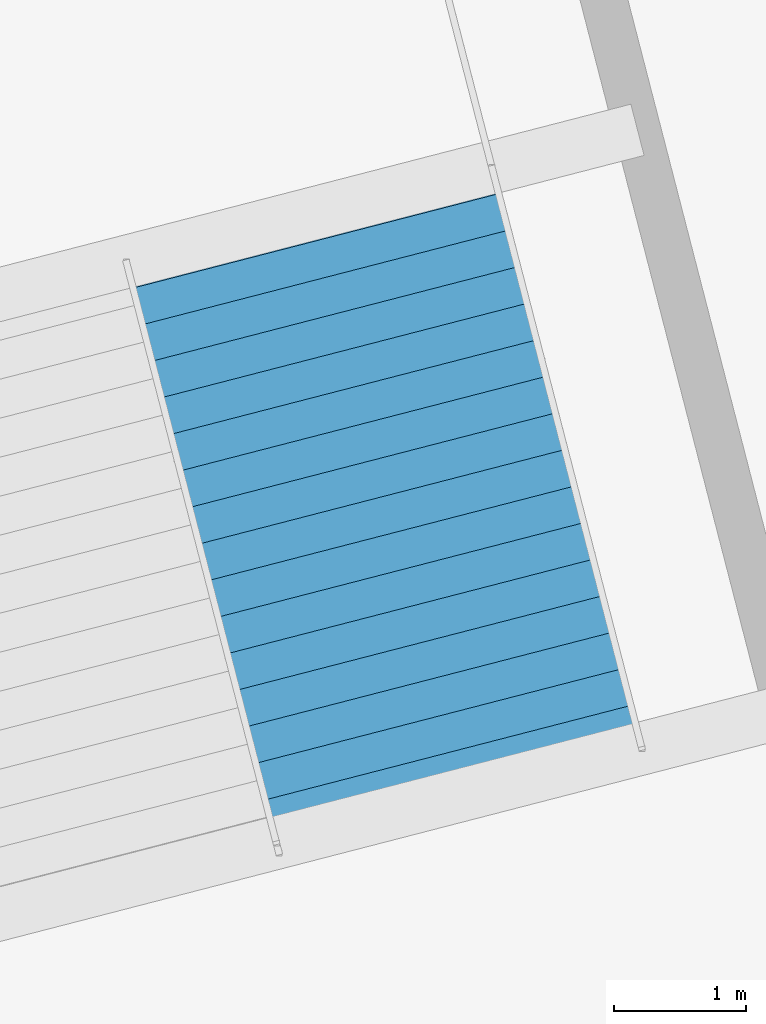
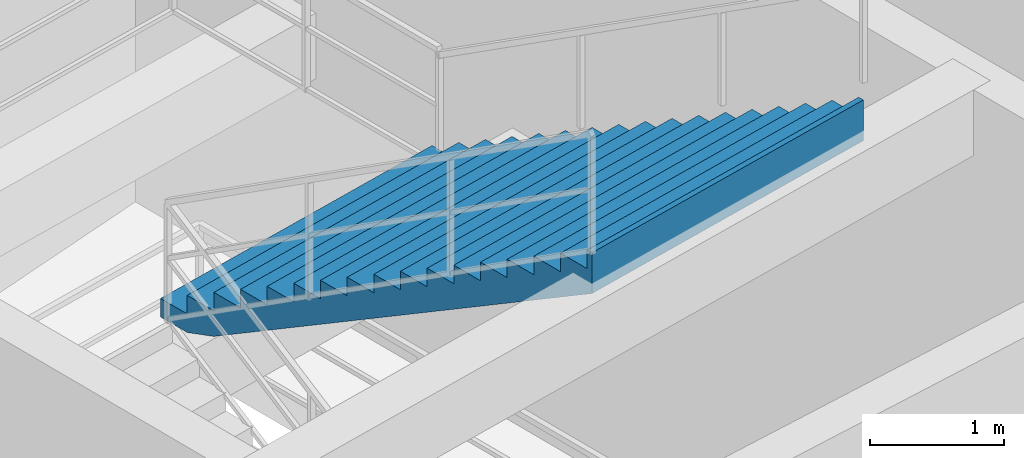
# One storey, part 32 of 48: 1 stair flight, 1 element without a shape of its own.
"""IFC4 building model written with IfcOpenShell, lengths in metres."""

from ifc_helpers import new_model, si_unit, direction, frame, origin, place, context, subcontext, project, spatial, polygons, material, type_object, element, aggregate, save


model = new_model("IFC4")

# Units and contexts
model_context = context("Model", 3, precision=1e-05, world=origin(), true_north=direction((0.0, 1.0)))
body_context = subcontext(model_context, "Body", "Model", "MODEL_VIEW")
ifc_project = project(units=[si_unit("LENGTHUNIT", "METRE"), si_unit("AREAUNIT", "SQUARE_METRE"), si_unit("VOLUMEUNIT", "CUBIC_METRE"), si_unit("PLANEANGLEUNIT", "RADIAN"), si_unit("MASSUNIT", "GRAM", prefix="KILO")], contexts=[model_context])

# Site, building, storey
site_placement = place(None, origin())
site = spatial("IfcSite", under=ifc_project, at=site_placement, CompositionType="ELEMENT")
building_placement = place(site_placement, origin())
building = spatial("IfcBuilding", under=site, at=building_placement, Name="Kazemori Nagisa Stadium", CompositionType="ELEMENT")
storey_placement = place(building_placement, origin())
storey = spatial("IfcBuildingStorey", under=building, at=storey_placement, Name="L00", CompositionType="ELEMENT", Elevation=0.0)

# Stair, stair flight
ifc_material = material(Name="Concrete C36/45 (Fc36)", Category="concrete")
stair_type = type_object("IfcStairType", Name="Stair_CORE_34", PredefinedType="TWO_STRAIGHT_RUN_STAIR", material=ifc_material)
stair_placement = place(storey_placement, origin())
stair = element("IfcStair", 1, at=stair_placement, inside=storey, type_object=stair_type, Name="Exit stair ST07 L00", PredefinedType="TWO_STRAIGHT_RUN_STAIR")
stair_flight_type = type_object("IfcStairFlightType", Name="Flight_CORE_17", PredefinedType="STRAIGHT", material=ifc_material)
stair_flight_placement = place(storey_placement, frame((209.5205078125, 128.173583984375, 2.889892578125), z_axis=(0.0, 0.0, 1.0), x_axis=(0.24997355226, -0.968252664944, 0.0)))
stair_flight = element("IfcStairFlight", 2, at=stair_flight_placement, type_object=stair_flight_type, Name="Exit stair ST07 L00 flight 2", NumberOfRisers=17, NumberOfTreads=16, PredefinedType="STRAIGHT", RiserHeight=0.17, TreadLength=0.285, context=body_context, shape_type="Tessellation", body=[
    polygons([(0.0, -1.425048828125, 0.0), (0.0, -1.425048828125, 0.169921875), (0.284912109375, -1.425048828125, 0.169921875), (0.284912109375, -1.425048828125, 0.340087890625), (0.570068359375, -1.425048828125, 0.340087890625), (0.570068359375, -1.425048828125, 0.510009765625), (0.85498046875, -1.425048828125, 0.510009765625), (0.85498046875, -1.425048828125, 0.679931640625), (1.139892578125, -1.425048828125, 0.679931640625), (1.139892578125, -1.425048828125, 0.85009765625), (1.425048828125, -1.425048828125, 0.85009765625), (1.425048828125, -1.425048828125, 1.02001953125), (1.7099609375, -1.425048828125, 1.02001953125), (1.7099609375, -1.425048828125, 1.18994140625), (1.9951171875, -1.425048828125, 1.18994140625), (1.9951171875, -1.425048828125, 1.360107421875), (2.280029296875, -1.425048828125, 1.360107421875), (2.280029296875, -1.425048828125, 1.530029296875), (2.56494140625, -1.425048828125, 1.530029296875), (2.56494140625, -1.425048828125, 1.699951171875), (2.85009765625, -1.425048828125, 1.699951171875), (2.85009765625, -1.425048828125, 1.8701171875), (3.135009765625, -1.425048828125, 1.8701171875), (3.135009765625, -1.425048828125, 2.0400390625), (3.419921875, -1.425048828125, 2.0400390625), (3.419921875, -1.425048828125, 2.2099609375), (3.705078125, -1.425048828125, 2.2099609375), (3.705078125, -1.425048828125, 2.3798828125), (3.989990234375, -1.425048828125, 2.3798828125), (3.989990234375, -1.425048828125, 2.550048828125), (4.27490234375, -1.425048828125, 2.550048828125), (4.27490234375, -1.425048828125, 2.719970703125), (4.56005859375, -1.425048828125, 2.719970703125), (4.56005859375, -1.425048828125, 2.889892578125), (4.610107421875, -1.425048828125, 2.889892578125), (4.610107421875, -1.425048828125, 2.51708984375), (4.56005859375, -1.425048828125, 2.487060546875), (4.27490234375, -1.425048828125, 2.317138671875), (3.989990234375, -1.425048828125, 2.147216796875), (3.705078125, -1.425048828125, 1.977294921875), (3.419921875, -1.425048828125, 1.80712890625), (3.135009765625, -1.425048828125, 1.63720703125), (2.85009765625, -1.425048828125, 1.46728515625), (2.56494140625, -1.425048828125, 1.297119140625), (2.280029296875, -1.425048828125, 1.127197265625), (1.9951171875, -1.425048828125, 0.957275390625), (1.7099609375, -1.425048828125, 0.787109375), (1.425048828125, -1.425048828125, 0.6171875), (1.139892578125, -1.425048828125, 0.447265625), (0.85498046875, -1.425048828125, 0.277099609375), (0.570068359375, -1.425048828125, 0.107177734375), (0.284912109375, -1.425048828125, 0.0), (0.0, -0.08544921875, 0.0), (0.0, -0.08544921875, 0.169921875), (0.284912109375, -0.08544921875, 0.169921875), (0.284912109375, -0.08544921875, 0.340087890625), (0.570068359375, -0.08544921875, 0.340087890625), (0.570068359375, -0.08544921875, 0.510009765625), (0.85498046875, -0.08544921875, 0.510009765625), (0.85498046875, -0.08544921875, 0.679931640625), (1.139892578125, -0.08544921875, 0.679931640625), (1.139892578125, -0.08544921875, 0.85009765625), (1.425048828125, -0.08544921875, 0.85009765625), (1.425048828125, -0.08544921875, 1.02001953125), (1.7099609375, -0.08544921875, 1.02001953125), (1.7099609375, -0.08544921875, 1.18994140625), (1.9951171875, -0.08544921875, 1.18994140625), (1.9951171875, -0.08544921875, 1.360107421875), (2.280029296875, -0.08544921875, 1.360107421875), (2.280029296875, -0.08544921875, 1.530029296875), (2.56494140625, -0.08544921875, 1.530029296875), (2.56494140625, -0.08544921875, 1.699951171875), (2.85009765625, -0.08544921875, 1.699951171875), (2.85009765625, -0.08544921875, 1.8701171875), (3.135009765625, -0.08544921875, 1.8701171875), (3.135009765625, -0.08544921875, 2.0400390625), (3.419921875, -0.08544921875, 2.0400390625), (3.419921875, -0.08544921875, 2.2099609375), (3.705078125, -0.08544921875, 2.2099609375), (3.705078125, -0.08544921875, 2.3798828125), (3.989990234375, -0.08544921875, 2.3798828125), (3.989990234375, -0.08544921875, 2.550048828125), (4.27490234375, -0.08544921875, 2.550048828125), (4.27490234375, -0.08544921875, 2.719970703125), (4.56005859375, -0.08544921875, 2.719970703125), (4.56005859375, -0.08544921875, 2.889892578125), (4.610107421875, -0.08544921875, 2.889892578125), (4.610107421875, -0.08544921875, 2.51708984375), (4.56005859375, -0.08544921875, 2.487060546875), (4.27490234375, -0.08544921875, 2.317138671875), (3.989990234375, -0.08544921875, 2.147216796875), (3.705078125, -0.08544921875, 1.977294921875), (3.419921875, -0.08544921875, 1.80712890625), (3.135009765625, -0.08544921875, 1.63720703125), (2.85009765625, -0.08544921875, 1.46728515625), (2.56494140625, -0.08544921875, 1.297119140625), (2.280029296875, -0.08544921875, 1.127197265625), (1.9951171875, -0.08544921875, 0.957275390625), (1.7099609375, -0.08544921875, 0.787109375), (1.425048828125, -0.08544921875, 0.6171875), (1.139892578125, -0.08544921875, 0.447265625), (0.85498046875, -0.08544921875, 0.277099609375), (0.570068359375, -0.08544921875, 0.107177734375), (0.284912109375, -0.08544921875, 0.0), (0.0, 0.0, 0.0), (0.0, 0.0, 0.169921875), (0.284912109375, 0.0, 0.169921875), (0.284912109375, 0.0, 0.340087890625), (0.570068359375, 0.0, 0.340087890625), (0.570068359375, 0.0, 0.510009765625), (0.85498046875, 0.0, 0.510009765625), (0.85498046875, 0.0, 0.679931640625), (1.139892578125, 0.0, 0.679931640625), (1.139892578125, 0.0, 0.85009765625), (1.425048828125, 0.0, 0.85009765625), (1.425048828125, 0.0, 1.02001953125), (1.7099609375, 0.0, 1.02001953125), (1.7099609375, 0.0, 1.18994140625), (1.9951171875, 0.0, 1.18994140625), (1.9951171875, 0.0, 1.360107421875), (2.280029296875, 0.0, 1.360107421875), (2.280029296875, 0.0, 1.530029296875), (2.56494140625, 0.0, 1.530029296875), (2.56494140625, 0.0, 1.699951171875), (2.85009765625, 0.0, 1.699951171875), (2.85009765625, 0.0, 1.8701171875), (3.135009765625, 0.0, 1.8701171875), (3.135009765625, 0.0, 2.0400390625), (3.419921875, 0.0, 2.0400390625), (3.419921875, 0.0, 2.2099609375), (3.705078125, 0.0, 2.2099609375), (3.705078125, 0.0, 2.3798828125), (3.989990234375, 0.0, 2.3798828125), (3.989990234375, 0.0, 2.550048828125), (4.27490234375, 0.0, 2.550048828125), (4.27490234375, 0.0, 2.719970703125), (4.56005859375, 0.0, 2.719970703125), (4.56005859375, 0.0, 2.889892578125), (4.610107421875, 0.0, 2.889892578125), (4.610107421875, 0.0, 2.51708984375), (4.56005859375, 0.0, 2.487060546875), (4.27490234375, 0.0, 2.317138671875), (3.989990234375, 0.0, 2.147216796875), (3.705078125, 0.0, 1.977294921875), (3.419921875, 0.0, 1.80712890625), (3.135009765625, 0.0, 1.63720703125), (2.85009765625, 0.0, 1.46728515625), (2.56494140625, 0.0, 1.297119140625), (2.280029296875, 0.0, 1.127197265625), (1.9951171875, 0.0, 0.957275390625), (1.7099609375, 0.0, 0.787109375), (1.425048828125, 0.0, 0.6171875), (1.139892578125, 0.0, 0.447265625), (0.85498046875, 0.0, 0.277099609375), (0.570068359375, 0.0, 0.107177734375), (0.284912109375, 0.0, 0.0), (0.0, 0.08544921875, 0.0), (0.0, 0.08544921875, 0.169921875), (0.284912109375, 0.08544921875, 0.169921875), (0.284912109375, 0.08544921875, 0.340087890625), (0.570068359375, 0.08544921875, 0.340087890625), (0.570068359375, 0.08544921875, 0.510009765625), (0.85498046875, 0.08544921875, 0.510009765625), (0.85498046875, 0.08544921875, 0.679931640625), (1.139892578125, 0.08544921875, 0.679931640625), (1.139892578125, 0.08544921875, 0.85009765625), (1.425048828125, 0.08544921875, 0.85009765625), (1.425048828125, 0.08544921875, 1.02001953125), (1.7099609375, 0.08544921875, 1.02001953125), (1.7099609375, 0.08544921875, 1.18994140625), (1.9951171875, 0.08544921875, 1.18994140625), (1.9951171875, 0.08544921875, 1.360107421875), (2.280029296875, 0.08544921875, 1.360107421875), (2.280029296875, 0.08544921875, 1.530029296875), (2.56494140625, 0.08544921875, 1.530029296875), (2.56494140625, 0.08544921875, 1.699951171875), (2.85009765625, 0.08544921875, 1.699951171875), (2.85009765625, 0.08544921875, 1.8701171875), (3.135009765625, 0.08544921875, 1.8701171875), (3.135009765625, 0.08544921875, 2.0400390625), (3.419921875, 0.08544921875, 2.0400390625), (3.419921875, 0.08544921875, 2.2099609375), (3.705078125, 0.08544921875, 2.2099609375), (3.705078125, 0.08544921875, 2.3798828125), (3.989990234375, 0.08544921875, 2.3798828125), (3.989990234375, 0.08544921875, 2.550048828125), (4.27490234375, 0.08544921875, 2.550048828125), (4.27490234375, 0.08544921875, 2.719970703125), (4.56005859375, 0.08544921875, 2.719970703125), (4.56005859375, 0.08544921875, 2.889892578125), (4.610107421875, 0.08544921875, 2.889892578125), (4.610107421875, 0.08544921875, 2.51708984375), (4.56005859375, 0.08544921875, 2.487060546875), (4.27490234375, 0.08544921875, 2.317138671875), (3.989990234375, 0.08544921875, 2.147216796875), (3.705078125, 0.08544921875, 1.977294921875), (3.419921875, 0.08544921875, 1.80712890625), (3.135009765625, 0.08544921875, 1.63720703125), (2.85009765625, 0.08544921875, 1.46728515625), (2.56494140625, 0.08544921875, 1.297119140625), (2.280029296875, 0.08544921875, 1.127197265625), (1.9951171875, 0.08544921875, 0.957275390625), (1.7099609375, 0.08544921875, 0.787109375), (1.425048828125, 0.08544921875, 0.6171875), (1.139892578125, 0.08544921875, 0.447265625), (0.85498046875, 0.08544921875, 0.277099609375), (0.570068359375, 0.08544921875, 0.107177734375), (0.284912109375, 0.08544921875, 0.0), (0.0, 1.425048828125, 0.0), (0.0, 1.425048828125, 0.169921875), (0.284912109375, 1.425048828125, 0.169921875), (0.284912109375, 1.425048828125, 0.340087890625), (0.570068359375, 1.425048828125, 0.340087890625), (0.570068359375, 1.425048828125, 0.510009765625), (0.85498046875, 1.425048828125, 0.510009765625), (0.85498046875, 1.425048828125, 0.679931640625), (1.139892578125, 1.425048828125, 0.679931640625), (1.139892578125, 1.425048828125, 0.85009765625), (1.425048828125, 1.425048828125, 0.85009765625), (1.425048828125, 1.425048828125, 1.02001953125), (1.7099609375, 1.425048828125, 1.02001953125), (1.7099609375, 1.425048828125, 1.18994140625), (1.9951171875, 1.425048828125, 1.18994140625), (1.9951171875, 1.425048828125, 1.360107421875), (2.280029296875, 1.425048828125, 1.360107421875), (2.280029296875, 1.425048828125, 1.530029296875), (2.56494140625, 1.425048828125, 1.530029296875), (2.56494140625, 1.425048828125, 1.699951171875), (2.85009765625, 1.425048828125, 1.699951171875), (2.85009765625, 1.425048828125, 1.8701171875), (3.135009765625, 1.425048828125, 1.8701171875), (3.135009765625, 1.425048828125, 2.0400390625), (3.419921875, 1.425048828125, 2.0400390625), (3.419921875, 1.425048828125, 2.2099609375), (3.705078125, 1.425048828125, 2.2099609375), (3.705078125, 1.425048828125, 2.3798828125), (3.989990234375, 1.425048828125, 2.3798828125), (3.989990234375, 1.425048828125, 2.550048828125), (4.27490234375, 1.425048828125, 2.550048828125), (4.27490234375, 1.425048828125, 2.719970703125), (4.56005859375, 1.425048828125, 2.719970703125), (4.56005859375, 1.425048828125, 2.889892578125), (4.610107421875, 1.425048828125, 2.889892578125), (4.610107421875, 1.425048828125, 2.51708984375), (4.56005859375, 1.425048828125, 2.487060546875), (4.27490234375, 1.425048828125, 2.317138671875), (3.989990234375, 1.425048828125, 2.147216796875), (3.705078125, 1.425048828125, 1.977294921875), (3.419921875, 1.425048828125, 1.80712890625), (3.135009765625, 1.425048828125, 1.63720703125), (2.85009765625, 1.425048828125, 1.46728515625), (2.56494140625, 1.425048828125, 1.297119140625), (2.280029296875, 1.425048828125, 1.127197265625), (1.9951171875, 1.425048828125, 0.957275390625), (1.7099609375, 1.425048828125, 0.787109375), (1.425048828125, 1.425048828125, 0.6171875), (1.139892578125, 1.425048828125, 0.447265625), (0.85498046875, 1.425048828125, 0.277099609375), (0.570068359375, 1.425048828125, 0.107177734375), (0.284912109375, 1.425048828125, 0.0)], [[[1, 2, 54]], [[1, 54, 53]], [[2, 3, 55]], [[2, 55, 54]], [[3, 4, 56]], [[3, 56, 55]], [[4, 5, 57]], [[4, 57, 56]], [[5, 6, 58]], [[5, 58, 57]], [[6, 7, 59]], [[6, 59, 58]], [[7, 8, 60]], [[7, 60, 59]], [[8, 9, 61]], [[8, 61, 60]], [[9, 10, 62]], [[9, 62, 61]], [[10, 11, 63]], [[10, 63, 62]], [[11, 12, 64]], [[11, 64, 63]], [[12, 13, 65]], [[12, 65, 64]], [[13, 14, 66]], [[13, 66, 65]], [[14, 15, 67]], [[14, 67, 66]], [[15, 16, 68]], [[15, 68, 67]], [[16, 17, 69]], [[16, 69, 68]], [[17, 18, 70]], [[17, 70, 69]], [[18, 19, 71]], [[18, 71, 70]], [[19, 20, 72]], [[19, 72, 71]], [[20, 21, 73]], [[20, 73, 72]], [[21, 22, 74]], [[21, 74, 73]], [[22, 23, 75]], [[22, 75, 74]], [[23, 24, 76]], [[23, 76, 75]], [[24, 25, 77]], [[24, 77, 76]], [[25, 26, 78]], [[25, 78, 77]], [[26, 27, 79]], [[26, 79, 78]], [[27, 28, 80]], [[27, 80, 79]], [[28, 29, 81]], [[28, 81, 80]], [[29, 30, 82]], [[29, 82, 81]], [[30, 31, 83]], [[30, 83, 82]], [[31, 32, 84]], [[31, 84, 83]], [[32, 33, 85]], [[32, 85, 84]], [[33, 34, 86]], [[33, 86, 85]], [[34, 35, 87]], [[34, 87, 86]], [[35, 36, 88]], [[35, 88, 87]], [[36, 37, 89]], [[36, 89, 88]], [[37, 38, 90]], [[37, 90, 89]], [[38, 39, 91]], [[38, 91, 90]], [[39, 40, 92]], [[39, 92, 91]], [[40, 41, 93]], [[40, 93, 92]], [[41, 42, 94]], [[41, 94, 93]], [[42, 43, 95]], [[42, 95, 94]], [[43, 44, 96]], [[43, 96, 95]], [[44, 45, 97]], [[44, 97, 96]], [[45, 46, 98]], [[45, 98, 97]], [[46, 47, 99]], [[46, 99, 98]], [[47, 48, 100]], [[47, 100, 99]], [[48, 49, 101]], [[48, 101, 100]], [[49, 50, 102]], [[49, 102, 101]], [[50, 51, 103]], [[50, 103, 102]], [[51, 52, 104]], [[51, 104, 103]], [[52, 1, 53]], [[52, 53, 104]], [[53, 54, 106]], [[53, 106, 105]], [[54, 55, 107]], [[54, 107, 106]], [[55, 56, 108]], [[55, 108, 107]], [[56, 57, 109]], [[56, 109, 108]], [[57, 58, 110]], [[57, 110, 109]], [[58, 59, 111]], [[58, 111, 110]], [[59, 60, 112]], [[59, 112, 111]], [[60, 61, 113]], [[60, 113, 112]], [[61, 62, 114]], [[61, 114, 113]], [[62, 63, 115]], [[62, 115, 114]], [[63, 64, 116]], [[63, 116, 115]], [[64, 65, 117]], [[64, 117, 116]], [[65, 66, 118]], [[65, 118, 117]], [[66, 67, 119]], [[66, 119, 118]], [[67, 68, 120]], [[67, 120, 119]], [[68, 69, 121]], [[68, 121, 120]], [[69, 70, 122]], [[69, 122, 121]], [[70, 71, 123]], [[70, 123, 122]], [[71, 72, 124]], [[71, 124, 123]], [[72, 73, 125]], [[72, 125, 124]], [[73, 74, 126]], [[73, 126, 125]], [[74, 75, 127]], [[74, 127, 126]], [[75, 76, 128]], [[75, 128, 127]], [[76, 77, 129]], [[76, 129, 128]], [[77, 78, 130]], [[77, 130, 129]], [[78, 79, 131]], [[78, 131, 130]], [[79, 80, 132]], [[79, 132, 131]], [[80, 81, 133]], [[80, 133, 132]], [[81, 82, 134]], [[81, 134, 133]], [[82, 83, 135]], [[82, 135, 134]], [[83, 84, 136]], [[83, 136, 135]], [[84, 85, 137]], [[84, 137, 136]], [[85, 86, 138]], [[85, 138, 137]], [[86, 87, 139]], [[86, 139, 138]], [[87, 88, 140]], [[87, 140, 139]], [[88, 89, 141]], [[88, 141, 140]], [[89, 90, 142]], [[89, 142, 141]], [[90, 91, 143]], [[90, 143, 142]], [[91, 92, 144]], [[91, 144, 143]], [[92, 93, 145]], [[92, 145, 144]], [[93, 94, 146]], [[93, 146, 145]], [[94, 95, 147]], [[94, 147, 146]], [[95, 96, 148]], [[95, 148, 147]], [[96, 97, 149]], [[96, 149, 148]], [[97, 98, 150]], [[97, 150, 149]], [[98, 99, 151]], [[98, 151, 150]], [[99, 100, 152]], [[99, 152, 151]], [[100, 101, 153]], [[100, 153, 152]], [[101, 102, 154]], [[101, 154, 153]], [[102, 103, 155]], [[102, 155, 154]], [[103, 104, 156]], [[103, 156, 155]], [[104, 53, 105]], [[104, 105, 156]], [[105, 106, 158]], [[105, 158, 157]], [[106, 107, 159]], [[106, 159, 158]], [[107, 108, 160]], [[107, 160, 159]], [[108, 109, 161]], [[108, 161, 160]], [[109, 110, 162]], [[109, 162, 161]], [[110, 111, 163]], [[110, 163, 162]], [[111, 112, 164]], [[111, 164, 163]], [[112, 113, 165]], [[112, 165, 164]], [[113, 114, 166]], [[113, 166, 165]], [[114, 115, 167]], [[114, 167, 166]], [[115, 116, 168]], [[115, 168, 167]], [[116, 117, 169]], [[116, 169, 168]], [[117, 118, 170]], [[117, 170, 169]], [[118, 119, 171]], [[118, 171, 170]], [[119, 120, 172]], [[119, 172, 171]], [[120, 121, 173]], [[120, 173, 172]], [[121, 122, 174]], [[121, 174, 173]], [[122, 123, 175]], [[122, 175, 174]], [[123, 124, 176]], [[123, 176, 175]], [[124, 125, 177]], [[124, 177, 176]], [[125, 126, 178]], [[125, 178, 177]], [[126, 127, 179]], [[126, 179, 178]], [[127, 128, 180]], [[127, 180, 179]], [[128, 129, 181]], [[128, 181, 180]], [[129, 130, 182]], [[129, 182, 181]], [[130, 131, 183]], [[130, 183, 182]], [[131, 132, 184]], [[131, 184, 183]], [[132, 133, 185]], [[132, 185, 184]], [[133, 134, 186]], [[133, 186, 185]], [[134, 135, 187]], [[134, 187, 186]], [[135, 136, 188]], [[135, 188, 187]], [[136, 137, 189]], [[136, 189, 188]], [[137, 138, 190]], [[137, 190, 189]], [[138, 139, 191]], [[138, 191, 190]], [[139, 140, 192]], [[139, 192, 191]], [[140, 141, 193]], [[140, 193, 192]], [[141, 142, 194]], [[141, 194, 193]], [[142, 143, 195]], [[142, 195, 194]], [[143, 144, 196]], [[143, 196, 195]], [[144, 145, 197]], [[144, 197, 196]], [[145, 146, 198]], [[145, 198, 197]], [[146, 147, 199]], [[146, 199, 198]], [[147, 148, 200]], [[147, 200, 199]], [[148, 149, 201]], [[148, 201, 200]], [[149, 150, 202]], [[149, 202, 201]], [[150, 151, 203]], [[150, 203, 202]], [[151, 152, 204]], [[151, 204, 203]], [[152, 153, 205]], [[152, 205, 204]], [[153, 154, 206]], [[153, 206, 205]], [[154, 155, 207]], [[154, 207, 206]], [[155, 156, 208]], [[155, 208, 207]], [[156, 105, 157]], [[156, 157, 208]], [[157, 158, 210]], [[157, 210, 209]], [[158, 159, 211]], [[158, 211, 210]], [[159, 160, 212]], [[159, 212, 211]], [[160, 161, 213]], [[160, 213, 212]], [[161, 162, 214]], [[161, 214, 213]], [[162, 163, 215]], [[162, 215, 214]], [[163, 164, 216]], [[163, 216, 215]], [[164, 165, 217]], [[164, 217, 216]], [[165, 166, 218]], [[165, 218, 217]], [[166, 167, 219]], [[166, 219, 218]], [[167, 168, 220]], [[167, 220, 219]], [[168, 169, 221]], [[168, 221, 220]], [[169, 170, 222]], [[169, 222, 221]], [[170, 171, 223]], [[170, 223, 222]], [[171, 172, 224]], [[171, 224, 223]], [[172, 173, 225]], [[172, 225, 224]], [[173, 174, 226]], [[173, 226, 225]], [[174, 175, 227]], [[174, 227, 226]], [[175, 176, 228]], [[175, 228, 227]], [[176, 177, 229]], [[176, 229, 228]], [[177, 178, 230]], [[177, 230, 229]], [[178, 179, 231]], [[178, 231, 230]], [[179, 180, 232]], [[179, 232, 231]], [[180, 181, 233]], [[180, 233, 232]], [[181, 182, 234]], [[181, 234, 233]], [[182, 183, 235]], [[182, 235, 234]], [[183, 184, 236]], [[183, 236, 235]], [[184, 185, 237]], [[184, 237, 236]], [[185, 186, 238]], [[185, 238, 237]], [[186, 187, 239]], [[186, 239, 238]], [[187, 188, 240]], [[187, 240, 239]], [[188, 189, 241]], [[188, 241, 240]], [[189, 190, 242]], [[189, 242, 241]], [[190, 191, 243]], [[190, 243, 242]], [[191, 192, 244]], [[191, 244, 243]], [[192, 193, 245]], [[192, 245, 244]], [[193, 194, 246]], [[193, 246, 245]], [[194, 195, 247]], [[194, 247, 246]], [[195, 196, 248]], [[195, 248, 247]], [[196, 197, 249]], [[196, 249, 248]], [[197, 198, 250]], [[197, 250, 249]], [[198, 199, 251]], [[198, 251, 250]], [[199, 200, 252]], [[199, 252, 251]], [[200, 201, 253]], [[200, 253, 252]], [[201, 202, 254]], [[201, 254, 253]], [[202, 203, 255]], [[202, 255, 254]], [[203, 204, 256]], [[203, 256, 255]], [[204, 205, 257]], [[204, 257, 256]], [[205, 206, 258]], [[205, 258, 257]], [[206, 207, 259]], [[206, 259, 258]], [[207, 208, 260]], [[207, 260, 259]], [[208, 157, 209]], [[208, 209, 260]], [[3, 2, 1]], [[209, 210, 211]], [[52, 3, 1]], [[209, 211, 260]], [[51, 3, 52]], [[260, 211, 259]], [[5, 3, 51]], [[259, 211, 213]], [[5, 4, 3]], [[211, 212, 213]], [[50, 5, 51]], [[259, 213, 258]], [[7, 5, 50]], [[258, 213, 215]], [[7, 6, 5]], [[213, 214, 215]], [[49, 7, 50]], [[258, 215, 257]], [[9, 7, 49]], [[257, 215, 217]], [[9, 8, 7]], [[215, 216, 217]], [[48, 9, 49]], [[257, 217, 256]], [[11, 9, 48]], [[256, 217, 219]], [[11, 10, 9]], [[217, 218, 219]], [[47, 11, 48]], [[256, 219, 255]], [[13, 11, 47]], [[255, 219, 221]], [[13, 12, 11]], [[219, 220, 221]], [[46, 13, 47]], [[255, 221, 254]], [[15, 13, 46]], [[254, 221, 223]], [[15, 14, 13]], [[221, 222, 223]], [[45, 15, 46]], [[254, 223, 253]], [[17, 15, 45]], [[253, 223, 225]], [[17, 16, 15]], [[223, 224, 225]], [[44, 17, 45]], [[253, 225, 252]], [[19, 17, 44]], [[252, 225, 227]], [[19, 18, 17]], [[225, 226, 227]], [[43, 19, 44]], [[252, 227, 251]], [[21, 19, 43]], [[251, 227, 229]], [[21, 20, 19]], [[227, 228, 229]], [[42, 21, 43]], [[251, 229, 250]], [[23, 21, 42]], [[250, 229, 231]], [[23, 22, 21]], [[229, 230, 231]], [[41, 23, 42]], [[250, 231, 249]], [[25, 23, 41]], [[249, 231, 233]], [[25, 24, 23]], [[231, 232, 233]], [[40, 25, 41]], [[249, 233, 248]], [[27, 25, 40]], [[248, 233, 235]], [[27, 26, 25]], [[233, 234, 235]], [[39, 27, 40]], [[248, 235, 247]], [[29, 27, 39]], [[247, 235, 237]], [[29, 28, 27]], [[235, 236, 237]], [[38, 29, 39]], [[247, 237, 246]], [[31, 29, 38]], [[246, 237, 239]], [[31, 30, 29]], [[237, 238, 239]], [[37, 31, 38]], [[246, 239, 245]], [[33, 31, 37]], [[245, 239, 241]], [[33, 32, 31]], [[239, 240, 241]], [[36, 33, 37]], [[245, 241, 244]], [[35, 33, 36]], [[244, 241, 243]], [[35, 34, 33]], [[241, 242, 243]]], closed=True),
])
aggregate(stair, [stair_flight])

save(model, "model.ifc")
